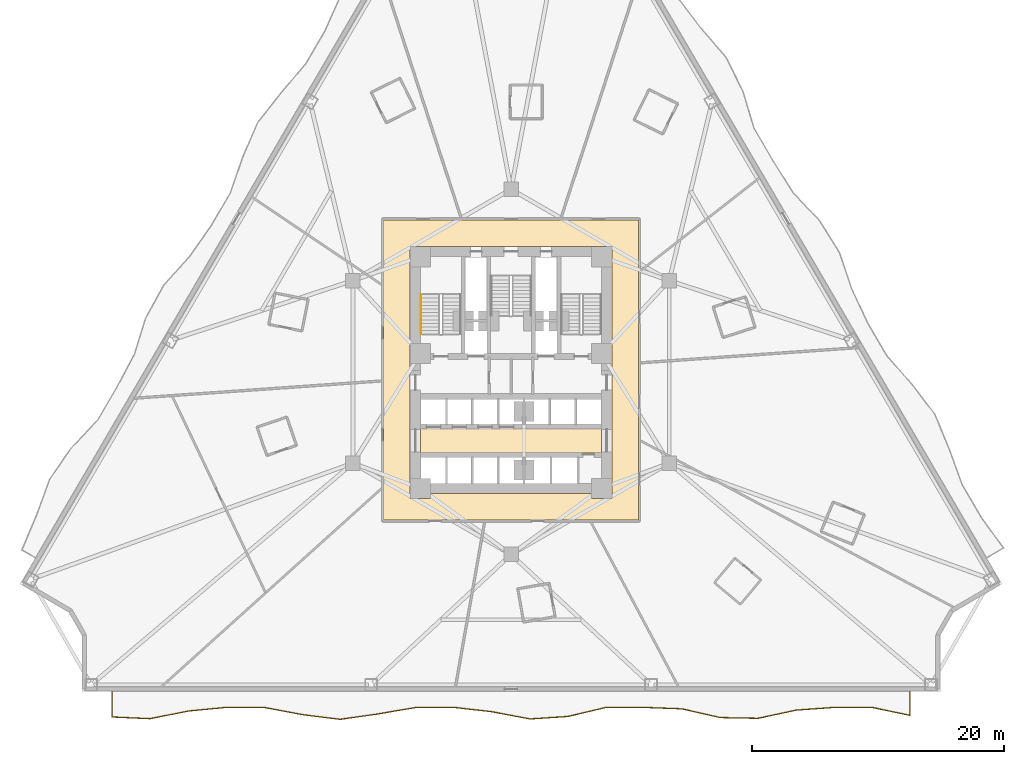
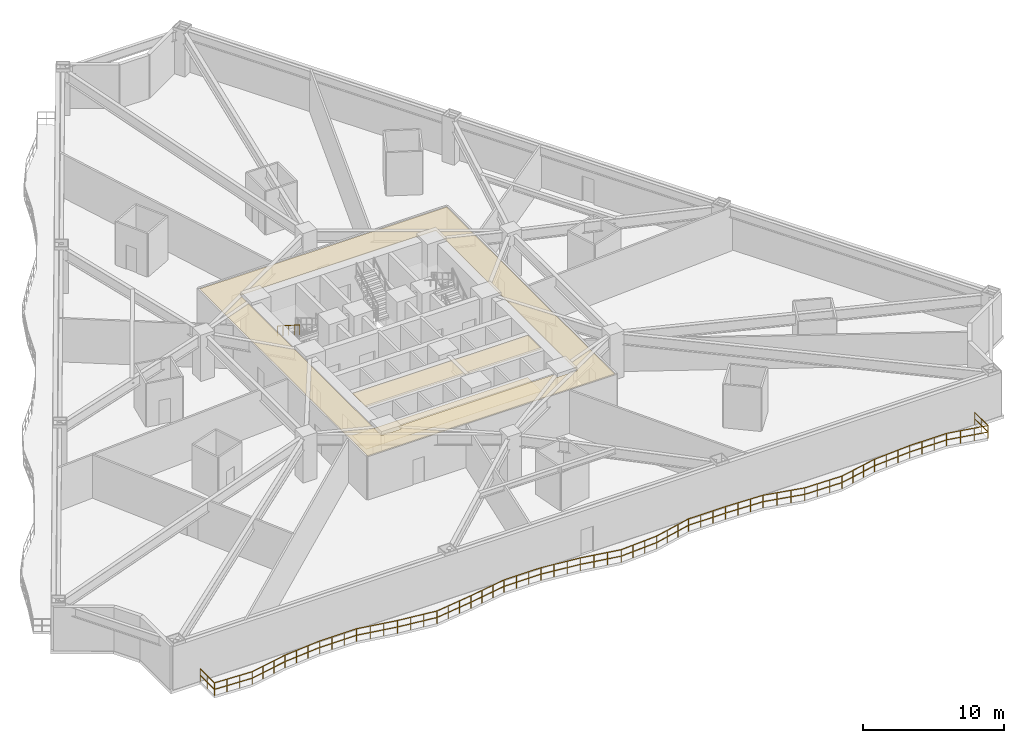
# One storey, part 8 of 12: 3 coverings, 2 railings.
"""IFC4 building model written with IfcOpenShell, lengths in metres."""

import ifcopenshell
import ifcopenshell.guid

model = None  # the IFC model being written
_history = None  # IfcOwnerHistory: only IFC2X3 demands one
_inside = {}  # id of a spatial element -> (the spatial element, [elements in it])
_under = {}  # id of a project, library or spatial element -> (it, [spatial elements below it])
_declared = {}  # id of a project -> (the project, [libraries it declares])
_typed = {}  # id of a type object -> (the type object, [elements of that type])
_made_of = {}  # id of a material, layer set ... -> (it, [elements and type objects made of it])


def new_model(schema):
    """Start an empty IFC model of exactly this schema.

    Asked for "IFC4X3", IfcOpenShell would pick the latest addendum, in which some entities
    have other attributes; the version numbers below select the first issue.
    IFC2X3 requires an IfcOwnerHistory on every rooted entity: one is made here for all.
    """
    global model, _history
    if schema == "IFC4X3":
        model = ifcopenshell.file(schema_version=(4, 3, 0, 0))
    else:
        model = ifcopenshell.file(schema=schema)
    _inside.clear()
    _under.clear()
    _declared.clear()
    _typed.clear()
    _made_of.clear()
    _history = None
    if model.schema == "IFC2X3":
        org = make("IfcOrganization", Name="unknown")
        user = make(
            "IfcPersonAndOrganization",
            ThePerson=make("IfcPerson", FamilyName="unknown"),
            TheOrganization=org,
        )
        app = make(
            "IfcApplication",
            ApplicationDeveloper=org,
            Version="unknown",
            ApplicationFullName="unknown",
            ApplicationIdentifier="unknown",
        )
        _history = make(
            "IfcOwnerHistory",
            OwningUser=user,
            OwningApplication=app,
            ChangeAction="ADDED",
            CreationDate=0,
        )
    return model


def make(cls, **values):
    """One entity of the class cls with the attributes given. An attribute that is None is left unset."""
    return model.create_entity(
        cls, **{name: value for name, value in values.items() if value is not None}
    )


def rooted(cls, **values):
    """An entity with a GlobalId (a new one), such as an element, a storey or a relation."""
    return make(cls, GlobalId=ifcopenshell.guid.new(), OwnerHistory=_history, **values)


def si_unit(unit_type, name, prefix=None):
    """IfcSIUnit, for example si_unit("LENGTHUNIT", "METRE", prefix="MILLI")."""
    return make("IfcSIUnit", UnitType=unit_type, Prefix=prefix, Name=name)


def assignment(units):
    """IfcUnitAssignment: the units of a project."""
    return None if units is None else make("IfcUnitAssignment", Units=units)


def point(xyz):
    """IfcCartesianPoint."""
    return None if xyz is None else make("IfcCartesianPoint", Coordinates=xyz)


def direction(xyz):
    """IfcDirection."""
    return None if xyz is None else make("IfcDirection", DirectionRatios=xyz)


def frame(location, z_axis=None, x_axis=None):
    """IfcAxis2Placement3D, a coordinate frame: its origin and axes. An axis left out is left unset."""
    return make(
        "IfcAxis2Placement3D",
        Location=point(location),
        Axis=direction(z_axis),
        RefDirection=direction(x_axis),
    )


def frame_2d(location, x_axis=None):
    """IfcAxis2Placement2D, a coordinate frame in the plane: its origin and x axis."""
    return make(
        "IfcAxis2Placement2D", Location=point(location), RefDirection=direction(x_axis)
    )


def origin():
    """The frame at (0, 0, 0) with its axes left unset."""
    return frame((0.0, 0.0, 0.0))


def origin_2d():
    """The frame at (0, 0) in the plane with its x axis left unset."""
    return frame_2d((0.0, 0.0))


def place(relative_to, where):
    """IfcLocalPlacement: puts the frame where relative to a parent placement (None: the world)."""
    return make(
        "IfcLocalPlacement", PlacementRelTo=relative_to, RelativePlacement=where
    )


def context(
    kind, dimensions, precision=None, world=None, true_north=None, identifier=None
):
    """IfcGeometricRepresentationContext, for example the 3D "Model" context."""
    return make(
        "IfcGeometricRepresentationContext",
        ContextIdentifier=identifier,
        ContextType=kind,
        CoordinateSpaceDimension=dimensions,
        Precision=precision,
        WorldCoordinateSystem=world,
        TrueNorth=true_north,
    )


def subcontext(parent, identifier, kind, view, scale=None):
    """IfcGeometricRepresentationSubContext, for example "Body" below "Model"."""
    return make(
        "IfcGeometricRepresentationSubContext",
        ContextIdentifier=identifier,
        ContextType=kind,
        ParentContext=parent,
        TargetScale=scale,
        TargetView=view,
    )


def project(units=None, contexts=None):
    """IfcProject with its units and contexts."""
    return rooted(
        "IfcProject",
        Name="project",
        RepresentationContexts=contexts,
        UnitsInContext=assignment(units),
    )


def spatial(cls, under=None, at=None, **own):
    """A site, building, storey or space (cls), placed at a placement, below another one or the project."""
    s = rooted(cls, ObjectPlacement=at, **own)
    if under is not None:
        _under.setdefault(under.id(), (under, []))[1].append(s)
    return s


def polyline(points):
    """IfcPolyline through the points."""
    return make("IfcPolyline", Points=[point(p) for p in points])


def profile(cls, at=None, kind="AREA", **sizes):
    """A parametric profile (cls). Its sizes go by their IFC names, for example OverallWidth=200.0."""
    return make(cls, ProfileType=kind, Position=at, **sizes)


def rectangle(**sizes):
    """IfcRectangleProfileDef."""
    return profile("IfcRectangleProfileDef", **sizes)


def outline(outer, holes=None, kind="AREA"):
    """IfcArbitraryClosedProfileDef: a profile drawn as a closed curve; with holes, ...WithVoids."""
    if holes is None:
        return make("IfcArbitraryClosedProfileDef", ProfileType=kind, OuterCurve=outer)
    return make(
        "IfcArbitraryProfileDefWithVoids",
        ProfileType=kind,
        OuterCurve=outer,
        InnerCurves=holes,
    )


def extrude(swept, where, along, depth):
    """IfcExtrudedAreaSolid: the profile swept, set in the frame where, extruded along a direction by depth."""
    return make(
        "IfcExtrudedAreaSolid",
        SweptArea=swept,
        Position=where,
        ExtrudedDirection=direction(along),
        Depth=depth,
    )


def shape(context_of_items, identifier, shape_type, items):
    """IfcShapeRepresentation: the items that make up one representation, for example the "Body"."""
    return make(
        "IfcShapeRepresentation",
        ContextOfItems=context_of_items,
        RepresentationIdentifier=identifier,
        RepresentationType=shape_type,
        Items=items,
    )


def material(Name=None, Category=None):
    """IfcMaterial."""
    return make("IfcMaterial", Name=Name, Category=Category)


def layer(
    of_material, thickness, ventilated=None, Name=None, Category=None, Priority=None
):
    """IfcMaterialLayer: one layer of a wall or slab, of a material (None: an air gap)."""
    return make(
        "IfcMaterialLayer",
        Material=of_material,
        LayerThickness=thickness,
        IsVentilated=ventilated,
        Name=Name,
        Category=Category,
        Priority=Priority,
    )


def layer_set(layers, Name=None):
    """IfcMaterialLayerSet."""
    return make("IfcMaterialLayerSet", MaterialLayers=layers, LayerSetName=Name)


def made_of(thing, what):
    """Note that an element or type object is made of a material, layer set ...; save() writes the relation."""
    if what is not None:
        _made_of.setdefault(what.id(), (what, []))[1].append(thing)
    return thing


def type_object(cls, material=None, **own):
    """A type object (cls), such as IfcWallType, which elements share."""
    return made_of(rooted(cls, **own), material)


def element(
    cls,
    number,
    at=None,
    inside=None,
    cuts=None,
    type_object=None,
    material=None,
    context=None,
    identifier="Body",
    shape_type=None,
    held_by="IfcProductDefinitionShape",
    body=None,
    shapes=None,
    **own,
):
    """One element of the class cls, such as IfcWall. Its Tag is "e" and its number.

    at: its placement. inside: the storey or other place that contains it. cuts: it is an
    opening in that element (IfcRelVoidsElement). A single representation is given by context,
    identifier, shape_type and body (its items); several are given by shapes. held_by: the class
    of the entity that holds the representations. save() writes the other relations.
    """
    e = rooted(cls, Tag="e%d" % number, ObjectPlacement=at, **own)
    if body is not None:
        shapes = [shape(context, identifier, shape_type, body)]
    if shapes is not None:
        e.Representation = make(held_by, Representations=shapes)
    if inside is not None:
        _inside.setdefault(inside.id(), (inside, []))[1].append(e)
    if cuts is not None:
        rooted(
            "IfcRelVoidsElement", RelatingBuildingElement=cuts, RelatedOpeningElement=e
        )
    if type_object is not None:
        _typed.setdefault(type_object.id(), (type_object, []))[1].append(e)
    return made_of(e, material)


def aggregate(whole, parts):
    """IfcRelAggregates: a whole, such as a stair, and the parts it consists of."""
    return rooted("IfcRelAggregates", RelatingObject=whole, RelatedObjects=parts)


def save(model, path):
    """Write the relations noted so far, then the file.

    IfcRelAggregates (storeys below a building ...), IfcRelContainedInSpatialStructure (elements
    in a storey), IfcRelDefinesByType, IfcRelAssociatesMaterial and IfcRelDeclares: one each for
    every whole, place, type object, material and project.
    """
    for whole, parts in _under.values():
        aggregate(whole, parts)
    for where, things in _inside.values():
        rooted(
            "IfcRelContainedInSpatialStructure",
            RelatedElements=things,
            RelatingStructure=where,
        )
    for kind, things in _typed.values():
        rooted("IfcRelDefinesByType", RelatedObjects=things, RelatingType=kind)
    for what, things in _made_of.values():
        rooted("IfcRelAssociatesMaterial", RelatedObjects=things, RelatingMaterial=what)
    for by, libraries in _declared.values():
        rooted("IfcRelDeclares", RelatingContext=by, RelatedDefinitions=libraries)
    model.write(path)


model = new_model("IFC4")

# Units and contexts
model_context = context("Model", 3, precision=1e-05, world=origin(), true_north=direction((0.0, 1.0)))
body_context = subcontext(model_context, "Body", "Model", "MODEL_VIEW")
ifc_project = project(units=[si_unit("LENGTHUNIT", "METRE"), si_unit("AREAUNIT", "SQUARE_METRE"), si_unit("VOLUMEUNIT", "CUBIC_METRE"), si_unit("PLANEANGLEUNIT", "RADIAN"), si_unit("MASSUNIT", "GRAM", prefix="KILO")], contexts=[model_context])

# Site, building, storey
site_placement = place(None, origin())
site = spatial("IfcSite", under=ifc_project, at=site_placement, CompositionType="ELEMENT")
building_placement = place(site_placement, origin())
building = spatial("IfcBuilding", under=site, at=building_placement, Name="Apsidion Concourse Tower", CompositionType="ELEMENT")
storey_placement = place(building_placement, frame((0.0, 0.0, 34.39990234375)))
storey = spatial("IfcBuildingStorey", under=building, at=storey_placement, Name="L06", CompositionType="ELEMENT", Elevation=34.39990234375)

# Coverings
ifc_material_1 = material(Name="Acoustic mineral fibre ceiling")
ifc_layer_1 = layer(ifc_material_1, 0.0400390625)
ifc_layer_set_1 = layer_set([ifc_layer_1], Name="Acoustic mineral fibre ceiling")
covering_type_1 = type_object("IfcCoveringType", Name="COV-CEIL-40", PredefinedType="CEILING", material=ifc_layer_set_1)
covering_1_placement = place(storey_placement, frame((0.0, 0.0, 3.650146484375)))
element("IfcCovering", 1, at=covering_1_placement, inside=storey, type_object=covering_type_1, Name="L06 Acoustic Ceiling Grid 1", PredefinedType="CEILING", context=body_context, shape_type="SweptSolid", body=[
    extrude(outline(polyline([(-7.179931640625, -6.449951171875), (-7.179931640625, -4.47998046875), (7.179931640625, -4.47998046875), (7.179931640625, -6.449951171875), (-7.179931640625, -6.449951171875)])), origin(), (0.0, 0.0, 1.0), 0.0400390625),
])
covering_2_placement = place(storey_placement, frame((0.0, 0.0, 3.650146484375)))
element("IfcCovering", 2, at=covering_2_placement, inside=storey, type_object=covering_type_1, Name="L06 Acoustic Ceiling Grid 2", PredefinedType="CEILING", context=body_context, shape_type="SweptSolid", body=[
    extrude(outline(polyline([(10.1201171875, 12.070068359375), (10.1201171875, -11.77001953125), (-10.1201171875, -11.77001953125), (-10.1201171875, 12.070068359375), (10.1201171875, 12.070068359375)]), holes=[polyline([(-8.02001953125, 9.949951171875), (-8.02001953125, 8.35009765625), (-8.02001953125, 2.25), (-8.02001953125, 0.64990234375), (-8.02001953125, -8.449951171875), (-8.02001953125, -9.669921875), (-8.02001953125, -10.050048828125), (-8.02001953125, -10.052001953125), (-8.01953125, -10.053955078125), (-8.01904296875, -10.055908203125), (-8.0185546875, -10.0576171875), (-8.017578125, -10.059326171875), (-8.0166015625, -10.06103515625), (-8.015380859375, -10.062744140625), (-8.01416015625, -10.064208984375), (-8.0126953125, -10.0654296875), (-8.010986328125, -10.066650390625), (-8.009521484375, -10.067626953125), (-8.0078125, -10.068603515625), (-8.005859375, -10.069091796875), (-8.00390625, -10.069580078125), (-8.001953125, -10.06982421875), (-8.0, -10.070068359375), (-6.39990234375, -10.070068359375), (-6.39794921875, -10.06982421875), (-6.39599609375, -10.069580078125), (-6.394287109375, -10.069091796875), (-6.392333984375, -10.068603515625), (-6.390625, -10.067626953125), (-6.388916015625, -10.066650390625), (-6.38720703125, -10.0654296875), (-6.385986328125, -10.064208984375), (-6.384521484375, -10.062744140625), (-6.38330078125, -10.06103515625), (-6.38232421875, -10.059326171875), (-6.381591796875, -10.0576171875), (-6.380859375, -10.055908203125), (-6.38037109375, -10.053955078125), (-6.380126953125, -10.052001953125), (-6.3798828125, -10.050048828125), (-6.3798828125, -9.669921875), (6.3798828125, -9.669921875), (6.3798828125, -10.050048828125), (6.380126953125, -10.052001953125), (6.38037109375, -10.053955078125), (6.380859375, -10.055908203125), (6.381591796875, -10.0576171875), (6.38232421875, -10.059326171875), (6.38330078125, -10.06103515625), (6.384521484375, -10.062744140625), (6.385986328125, -10.064208984375), (6.38720703125, -10.0654296875), (6.388916015625, -10.066650390625), (6.390625, -10.067626953125), (6.392333984375, -10.068603515625), (6.394287109375, -10.069091796875), (6.39599609375, -10.069580078125), (6.39794921875, -10.06982421875), (6.39990234375, -10.070068359375), (8.0, -10.070068359375), (8.001953125, -10.06982421875), (8.00390625, -10.069580078125), (8.005859375, -10.069091796875), (8.0078125, -10.068603515625), (8.009521484375, -10.067626953125), (8.010986328125, -10.066650390625), (8.0126953125, -10.0654296875), (8.01416015625, -10.064208984375), (8.015380859375, -10.062744140625), (8.0166015625, -10.06103515625), (8.017578125, -10.059326171875), (8.0185546875, -10.0576171875), (8.01904296875, -10.055908203125), (8.01953125, -10.053955078125), (8.02001953125, -10.052001953125), (8.02001953125, -10.050048828125), (8.02001953125, -9.669921875), (8.02001953125, -8.449951171875), (8.02001953125, 0.64990234375), (8.02001953125, 2.25), (8.02001953125, 8.35009765625), (8.02001953125, 9.949951171875), (8.02001953125, 9.969970703125), (8.0, 9.969970703125), (6.39990234375, 9.969970703125), (-6.39990234375, 9.969970703125), (-8.0, 9.969970703125), (-8.02001953125, 9.969970703125), (-8.02001953125, 9.949951171875)])]), origin(), (0.0, 0.0, 1.0), 0.0400390625),
])
ifc_material_2 = material(Name="Honed travertine floor finish", Category="masonry")
ifc_layer_2 = layer(ifc_material_2, 0.02001953125)
ifc_layer_set_2 = layer_set([ifc_layer_2], Name="Honed travertine floor finish")
covering_type_2 = type_object("IfcCoveringType", Name="COV-FLOR-20", PredefinedType="FLOORING", material=ifc_layer_set_2)
covering_3_placement = place(storey_placement, origin())
element("IfcCovering", 3, at=covering_3_placement, inside=storey, type_object=covering_type_2, Name="L06 Honed Travertine Floor Finish 1", PredefinedType="FLOORING", context=body_context, shape_type="SweptSolid", body=[
    extrude(outline(polyline([(-7.179931640625, -6.449951171875), (-7.179931640625, -4.47998046875), (7.179931640625, -4.47998046875), (7.179931640625, -6.449951171875), (-7.179931640625, -6.449951171875)])), origin(), (0.0, 0.0, 1.0), 0.02001953125),
])

# Railings
ifc_material_3 = material(Name="Brushed stainless steel 316", Category="steel")
railing_type_1 = type_object("IfcRailingType", Name="RL-BAL-1120", PredefinedType="BALUSTRADE", material=ifc_material_3)
railing_1_placement = place(storey_placement, frame((31.68798828125, -25.39990234375, 0.0)))
element("IfcRailing", 4, at=railing_1_placement, inside=storey, type_object=railing_type_1, Name="L06 Face 2 Rippling Balcony Balustrade", PredefinedType="BALUSTRADE", context=body_context, shape_type="SweptSolid", body=[
    extrude(rectangle(XDim=0.048095703125, YDim=0.048095703125, at=origin_2d()), frame((0.0, 0.0, 1.09619140625), z_axis=(0.0, -1.0, 0.0), x_axis=(1.0, 0.0, 0.0)), (0.0, 0.0, 1.0), 1.884521484375),
    extrude(rectangle(XDim=0.048095703125, YDim=0.048095703125, at=origin_2d()), frame((0.0, 0.0, 0.5361328125), z_axis=(0.0, -1.0, 0.0), x_axis=(1.0, 0.0, 0.0)), (0.0, 0.0, 1.0), 1.884521484375),
    extrude(rectangle(XDim=0.048095703125, YDim=0.048095703125, at=origin_2d()), frame((0.0, -1.884521484375, 1.09619140625), z_axis=(-0.978602671745, 0.205759108799, 0.0), x_axis=(-0.205759108799, -0.978602671745, 0.0)), (0.0, 0.0, 1.0), 3.083740234375),
    extrude(rectangle(XDim=0.048095703125, YDim=0.048095703125, at=origin_2d()), frame((0.0, -1.884521484375, 0.5361328125), z_axis=(-0.978602671745, 0.205759108799, 0.0), x_axis=(-0.205759108799, -0.978602671745, 0.0)), (0.0, 0.0, 1.0), 3.083740234375),
    extrude(rectangle(XDim=0.048095703125, YDim=0.048095703125, at=origin_2d()), frame((-3.017822265625, -1.25, 1.09619140625), z_axis=(-1.0, 0.0, 0.0), x_axis=(0.0, -1.0, 0.0)), (0.0, 0.0, 1.0), 3.017822265625),
    extrude(rectangle(XDim=0.048095703125, YDim=0.048095703125, at=origin_2d()), frame((-3.017822265625, -1.25, 0.5361328125), z_axis=(-1.0, 0.0, 0.0), x_axis=(0.0, -1.0, 0.0)), (0.0, 0.0, 1.0), 3.017822265625),
    extrude(rectangle(XDim=0.048095703125, YDim=0.048095703125, at=origin_2d()), frame((-6.03564453125, -1.25, 1.09619140625), z_axis=(-0.997400619886, -0.072055558091, 0.0), x_axis=(0.072055558091, -0.997400619886, 0.0)), (0.0, 0.0, 1.0), 3.025634765625),
    extrude(rectangle(XDim=0.048095703125, YDim=0.048095703125, at=origin_2d()), frame((-6.03564453125, -1.25, 0.5361328125), z_axis=(-0.997400619886, -0.072055558091, 0.0), x_axis=(0.072055558091, -0.997400619886, 0.0)), (0.0, 0.0, 1.0), 3.025634765625),
    extrude(rectangle(XDim=0.048095703125, YDim=0.048095703125, at=origin_2d()), frame((-9.053466796875, -1.468017578125, 1.09619140625), z_axis=(-0.977672601557, -0.210133967185, 0.0), x_axis=(0.210133967185, -0.977672601557, 0.0)), (0.0, 0.0, 1.0), 3.0869140625),
    extrude(rectangle(XDim=0.048095703125, YDim=0.048095703125, at=origin_2d()), frame((-9.053466796875, -1.468017578125, 0.5361328125), z_axis=(-0.977672601557, -0.210133967185, 0.0), x_axis=(0.210133967185, -0.977672601557, 0.0)), (0.0, 0.0, 1.0), 3.0869140625),
    extrude(rectangle(XDim=0.048095703125, YDim=0.048095703125, at=origin_2d()), frame((-12.071533203125, -2.11669921875, 1.09619140625), z_axis=(-0.999813161402, 0.019329828958, 0.0), x_axis=(-0.019329828958, -0.999813161402, 0.0)), (0.0, 0.0, 1.0), 3.0185546875),
    extrude(rectangle(XDim=0.048095703125, YDim=0.048095703125, at=origin_2d()), frame((-12.071533203125, -2.11669921875, 0.5361328125), z_axis=(-0.999813161402, 0.019329828958, 0.0), x_axis=(-0.019329828958, -0.999813161402, 0.0)), (0.0, 0.0, 1.0), 3.0185546875),
    extrude(rectangle(XDim=0.048095703125, YDim=0.048095703125, at=origin_2d()), frame((-15.089599609375, -2.058349609375, 1.09619140625), z_axis=(-0.974676132872, 0.223621188644, 0.0), x_axis=(-0.223621188644, -0.974676132872, 0.0)), (0.0, 0.0, 1.0), 3.09619140625),
    extrude(rectangle(XDim=0.048095703125, YDim=0.048095703125, at=origin_2d()), frame((-15.089599609375, -2.058349609375, 0.5361328125), z_axis=(-0.974676132872, 0.223621188644, 0.0), x_axis=(-0.223621188644, -0.974676132872, 0.0)), (0.0, 0.0, 1.0), 3.09619140625),
    extrude(rectangle(XDim=0.048095703125, YDim=0.048095703125, at=origin_2d()), frame((-18.107421875, -1.365966796875, 1.09619140625), z_axis=(-0.999262487547, 0.038398971085, 0.0), x_axis=(-0.038398971085, -0.999262487547, 0.0)), (0.0, 0.0, 1.0), 3.02001953125),
    extrude(rectangle(XDim=0.048095703125, YDim=0.048095703125, at=origin_2d()), frame((-18.107421875, -1.365966796875, 0.5361328125), z_axis=(-0.999262487547, 0.038398971085, 0.0), x_axis=(-0.038398971085, -0.999262487547, 0.0)), (0.0, 0.0, 1.0), 3.02001953125),
    extrude(rectangle(XDim=0.048095703125, YDim=0.048095703125, at=origin_2d()), frame((-21.125244140625, -1.25, 1.09619140625), z_axis=(-1.0, 0.0, 0.0), x_axis=(0.0, -1.0, 0.0)), (0.0, 0.0, 1.0), 3.017822265625),
    extrude(rectangle(XDim=0.048095703125, YDim=0.048095703125, at=origin_2d()), frame((-21.125244140625, -1.25, 0.5361328125), z_axis=(-1.0, 0.0, 0.0), x_axis=(0.0, -1.0, 0.0)), (0.0, 0.0, 1.0), 3.017822265625),
    extrude(rectangle(XDim=0.048095703125, YDim=0.048095703125, at=origin_2d()), frame((-24.14306640625, -1.25, 1.09619140625), z_axis=(-0.972758913206, -0.231819103568, 0.0), x_axis=(0.231819103568, -0.972758913206, 0.0)), (0.0, 0.0, 1.0), 3.1025390625),
    extrude(rectangle(XDim=0.048095703125, YDim=0.048095703125, at=origin_2d()), frame((-24.14306640625, -1.25, 0.5361328125), z_axis=(-0.972758913206, -0.231819103568, 0.0), x_axis=(0.231819103568, -0.972758913206, 0.0)), (0.0, 0.0, 1.0), 3.1025390625),
    extrude(rectangle(XDim=0.048095703125, YDim=0.048095703125, at=origin_2d()), frame((-27.1611328125, -1.96923828125, 1.09619140625), z_axis=(-0.997833469267, -0.065790330673, 0.0), x_axis=(0.065790330673, -0.997833469267, 0.0)), (0.0, 0.0, 1.0), 3.0244140625),
    extrude(rectangle(XDim=0.048095703125, YDim=0.048095703125, at=origin_2d()), frame((-27.1611328125, -1.96923828125, 0.5361328125), z_axis=(-0.997833469267, -0.065790330673, 0.0), x_axis=(0.065790330673, -0.997833469267, 0.0)), (0.0, 0.0, 1.0), 3.0244140625),
    extrude(rectangle(XDim=0.048095703125, YDim=0.048095703125, at=origin_2d()), frame((-30.178955078125, -2.168212890625, 1.09619140625), z_axis=(-0.982479499638, 0.186370686511, 0.0), x_axis=(-0.186370686511, -0.982479499638, 0.0)), (0.0, 0.0, 1.0), 3.07177734375),
    extrude(rectangle(XDim=0.048095703125, YDim=0.048095703125, at=origin_2d()), frame((-30.178955078125, -2.168212890625, 0.5361328125), z_axis=(-0.982479499638, 0.186370686511, 0.0), x_axis=(-0.186370686511, -0.982479499638, 0.0)), (0.0, 0.0, 1.0), 3.07177734375),
    extrude(rectangle(XDim=0.048095703125, YDim=0.048095703125, at=origin_2d()), frame((-33.197021484375, -1.595703125, 1.09619140625), z_axis=(-0.993502586676, 0.113809535048, 0.0), x_axis=(-0.113809535048, -0.993502586676, 0.0)), (0.0, 0.0, 1.0), 3.03759765625),
    extrude(rectangle(XDim=0.048095703125, YDim=0.048095703125, at=origin_2d()), frame((-33.197021484375, -1.595703125, 0.5361328125), z_axis=(-0.993502586676, 0.113809535048, 0.0), x_axis=(-0.113809535048, -0.993502586676, 0.0)), (0.0, 0.0, 1.0), 3.03759765625),
    extrude(rectangle(XDim=0.048095703125, YDim=0.048095703125, at=origin_2d()), frame((-36.21484375, -1.25, 1.09619140625), z_axis=(-1.0, 0.0, 0.0), x_axis=(0.0, -1.0, 0.0)), (0.0, 0.0, 1.0), 3.01806640625),
    extrude(rectangle(XDim=0.048095703125, YDim=0.048095703125, at=origin_2d()), frame((-36.21484375, -1.25, 0.5361328125), z_axis=(-1.0, 0.0, 0.0), x_axis=(0.0, -1.0, 0.0)), (0.0, 0.0, 1.0), 3.01806640625),
    extrude(rectangle(XDim=0.048095703125, YDim=0.048095703125, at=origin_2d()), frame((-39.23291015625, -1.25, 1.09619140625), z_axis=(-0.985529542928, -0.16950374632, 0.0), x_axis=(0.16950374632, -0.985529542928, 0.0)), (0.0, 0.0, 1.0), 3.06201171875),
    extrude(rectangle(XDim=0.048095703125, YDim=0.048095703125, at=origin_2d()), frame((-39.23291015625, -1.25, 0.5361328125), z_axis=(-0.985529542928, -0.16950374632, 0.0), x_axis=(0.16950374632, -0.985529542928, 0.0)), (0.0, 0.0, 1.0), 3.06201171875),
    extrude(rectangle(XDim=0.048095703125, YDim=0.048095703125, at=origin_2d()), frame((-42.250732421875, -1.76904296875, 1.09619140625), z_axis=(-0.989981503906, -0.141197103097, 0.0), x_axis=(0.141197103097, -0.989981503906, 0.0)), (0.0, 0.0, 1.0), 3.04833984375),
    extrude(rectangle(XDim=0.048095703125, YDim=0.048095703125, at=origin_2d()), frame((-42.250732421875, -1.76904296875, 0.5361328125), z_axis=(-0.989981503906, -0.141197103097, 0.0), x_axis=(0.141197103097, -0.989981503906, 0.0)), (0.0, 0.0, 1.0), 3.04833984375),
    extrude(rectangle(XDim=0.048095703125, YDim=0.048095703125, at=origin_2d()), frame((-45.2685546875, -2.199462890625, 1.09619140625), z_axis=(-0.992180014558, 0.124815138147, 0.0), x_axis=(-0.124815138147, -0.992180014558, 0.0)), (0.0, 0.0, 1.0), 3.04150390625),
    extrude(rectangle(XDim=0.048095703125, YDim=0.048095703125, at=origin_2d()), frame((-45.2685546875, -2.199462890625, 0.5361328125), z_axis=(-0.992180014558, 0.124815138147, 0.0), x_axis=(-0.124815138147, -0.992180014558, 0.0)), (0.0, 0.0, 1.0), 3.04150390625),
    extrude(rectangle(XDim=0.048095703125, YDim=0.048095703125, at=origin_2d()), frame((-48.286376953125, -1.81982421875, 1.09619140625), z_axis=(-0.982639239997, 0.185526612696, 0.0), x_axis=(-0.185526612696, -0.982639239997, 0.0)), (0.0, 0.0, 1.0), 3.0712890625),
    extrude(rectangle(XDim=0.048095703125, YDim=0.048095703125, at=origin_2d()), frame((-48.286376953125, -1.81982421875, 0.5361328125), z_axis=(-0.982639239997, 0.185526612696, 0.0), x_axis=(-0.185526612696, -0.982639239997, 0.0)), (0.0, 0.0, 1.0), 3.0712890625),
    extrude(rectangle(XDim=0.048095703125, YDim=0.048095703125, at=origin_2d()), frame((-51.304443359375, -1.25, 1.09619140625), z_axis=(-1.0, 0.0, 0.0), x_axis=(0.0, -1.0, 0.0)), (0.0, 0.0, 1.0), 3.01806640625),
    extrude(rectangle(XDim=0.048095703125, YDim=0.048095703125, at=origin_2d()), frame((-51.304443359375, -1.25, 0.5361328125), z_axis=(-1.0, 0.0, 0.0), x_axis=(0.0, -1.0, 0.0)), (0.0, 0.0, 1.0), 3.01806640625),
    extrude(rectangle(XDim=0.048095703125, YDim=0.048095703125, at=origin_2d()), frame((-54.322509765625, -1.25, 1.09619140625), z_axis=(-0.995382581967, -0.095987059114, 0.0), x_axis=(0.095987059114, -0.995382581967, 0.0)), (0.0, 0.0, 1.0), 3.03173828125),
    extrude(rectangle(XDim=0.048095703125, YDim=0.048095703125, at=origin_2d()), frame((-54.322509765625, -1.25, 0.5361328125), z_axis=(-0.995382581967, -0.095987059114, 0.0), x_axis=(0.095987059114, -0.995382581967, 0.0)), (0.0, 0.0, 1.0), 3.03173828125),
    extrude(rectangle(XDim=0.048095703125, YDim=0.048095703125, at=origin_2d()), frame((-57.34033203125, -1.541015625, 1.09619140625), z_axis=(-0.98030826381, -0.197473309351, 0.0), x_axis=(0.197473309351, -0.98030826381, 0.0)), (0.0, 0.0, 1.0), 3.078369140625),
    extrude(rectangle(XDim=0.048095703125, YDim=0.048095703125, at=origin_2d()), frame((-57.34033203125, -1.541015625, 0.5361328125), z_axis=(-0.98030826381, -0.197473309351, 0.0), x_axis=(0.197473309351, -0.98030826381, 0.0)), (0.0, 0.0, 1.0), 3.078369140625),
    extrude(rectangle(XDim=0.048095703125, YDim=0.048095703125, at=origin_2d()), frame((-60.358154296875, -2.14892578125, 1.09619140625), z_axis=(-0.998938498608, 0.046063825274, 0.0), x_axis=(-0.046063825274, -0.998938498608, 0.0)), (0.0, 0.0, 1.0), 3.02099609375),
    extrude(rectangle(XDim=0.048095703125, YDim=0.048095703125, at=origin_2d()), frame((-60.358154296875, -2.14892578125, 0.5361328125), z_axis=(-0.998938498608, 0.046063825274, 0.0), x_axis=(-0.046063825274, -0.998938498608, 0.0)), (0.0, 0.0, 1.0), 3.02099609375),
    extrude(rectangle(XDim=0.048095703125, YDim=0.048095703125, at=origin_2d()), frame((-63.3759765625, -2.009765625, 1.09619140625), z_axis=(0.0, 1.0, 0.0), x_axis=(-1.0, 0.0, 0.0)), (0.0, 0.0, 1.0), 2.009765625),
    extrude(rectangle(XDim=0.048095703125, YDim=0.048095703125, at=origin_2d()), frame((-63.3759765625, -2.009765625, 0.5361328125), z_axis=(0.0, 1.0, 0.0), x_axis=(-1.0, 0.0, 0.0)), (0.0, 0.0, 1.0), 2.009765625),
    extrude(rectangle(XDim=0.0419921875, YDim=0.0419921875, at=origin_2d()), origin(), (0.0, 0.0, 1.0), 1.072021484375),
    extrude(rectangle(XDim=0.0419921875, YDim=0.0419921875, at=origin_2d()), frame((0.0, -0.9423828125, 0.0)), (0.0, 0.0, 1.0), 1.072021484375),
    extrude(rectangle(XDim=0.0419921875, YDim=0.0419921875, at=origin_2d()), frame((0.0, -1.884521484375, 0.0)), (0.0, 0.0, 1.0), 1.072021484375),
    extrude(rectangle(XDim=0.0419921875, YDim=0.0419921875, at=origin_2d()), frame((-1.005859375, -1.673095703125, 0.0)), (0.0, 0.0, 1.0), 1.072021484375),
    extrude(rectangle(XDim=0.0419921875, YDim=0.0419921875, at=origin_2d()), frame((-2.011962890625, -1.46142578125, 0.0)), (0.0, 0.0, 1.0), 1.072021484375),
    extrude(rectangle(XDim=0.0419921875, YDim=0.0419921875, at=origin_2d()), frame((-3.017822265625, -1.25, 0.0)), (0.0, 0.0, 1.0), 1.072021484375),
    extrude(rectangle(XDim=0.0419921875, YDim=0.0419921875, at=origin_2d()), frame((-4.023681640625, -1.25, 0.0)), (0.0, 0.0, 1.0), 1.072021484375),
    extrude(rectangle(XDim=0.0419921875, YDim=0.0419921875, at=origin_2d()), frame((-5.02978515625, -1.25, 0.0)), (0.0, 0.0, 1.0), 1.072021484375),
    extrude(rectangle(XDim=0.0419921875, YDim=0.0419921875, at=origin_2d()), frame((-6.03564453125, -1.25, 0.0)), (0.0, 0.0, 1.0), 1.072021484375),
    extrude(rectangle(XDim=0.0419921875, YDim=0.0419921875, at=origin_2d()), frame((-7.04150390625, -1.32275390625, 0.0)), (0.0, 0.0, 1.0), 1.072021484375),
    extrude(rectangle(XDim=0.0419921875, YDim=0.0419921875, at=origin_2d()), frame((-8.047607421875, -1.395263671875, 0.0)), (0.0, 0.0, 1.0), 1.072021484375),
    extrude(rectangle(XDim=0.0419921875, YDim=0.0419921875, at=origin_2d()), frame((-9.053466796875, -1.468017578125, 0.0)), (0.0, 0.0, 1.0), 1.072021484375),
    extrude(rectangle(XDim=0.0419921875, YDim=0.0419921875, at=origin_2d()), frame((-10.0595703125, -1.684326171875, 0.0)), (0.0, 0.0, 1.0), 1.072021484375),
    extrude(rectangle(XDim=0.0419921875, YDim=0.0419921875, at=origin_2d()), frame((-11.0654296875, -1.900390625, 0.0)), (0.0, 0.0, 1.0), 1.072021484375),
    extrude(rectangle(XDim=0.0419921875, YDim=0.0419921875, at=origin_2d()), frame((-12.071533203125, -2.11669921875, 0.0)), (0.0, 0.0, 1.0), 1.072021484375),
    extrude(rectangle(XDim=0.0419921875, YDim=0.0419921875, at=origin_2d()), frame((-13.07763671875, -2.09716796875, 0.0)), (0.0, 0.0, 1.0), 1.072021484375),
    extrude(rectangle(XDim=0.0419921875, YDim=0.0419921875, at=origin_2d()), frame((-14.08349609375, -2.077880859375, 0.0)), (0.0, 0.0, 1.0), 1.072021484375),
    extrude(rectangle(XDim=0.0419921875, YDim=0.0419921875, at=origin_2d()), frame((-15.089599609375, -2.058349609375, 0.0)), (0.0, 0.0, 1.0), 1.072021484375),
    extrude(rectangle(XDim=0.0419921875, YDim=0.0419921875, at=origin_2d()), frame((-16.095458984375, -1.82763671875, 0.0)), (0.0, 0.0, 1.0), 1.072021484375),
    extrude(rectangle(XDim=0.0419921875, YDim=0.0419921875, at=origin_2d()), frame((-17.1015625, -1.5966796875, 0.0)), (0.0, 0.0, 1.0), 1.072021484375),
    extrude(rectangle(XDim=0.0419921875, YDim=0.0419921875, at=origin_2d()), frame((-18.107421875, -1.365966796875, 0.0)), (0.0, 0.0, 1.0), 1.072021484375),
    extrude(rectangle(XDim=0.0419921875, YDim=0.0419921875, at=origin_2d()), frame((-19.11328125, -1.327392578125, 0.0)), (0.0, 0.0, 1.0), 1.072021484375),
    extrude(rectangle(XDim=0.0419921875, YDim=0.0419921875, at=origin_2d()), frame((-20.119384765625, -1.28857421875, 0.0)), (0.0, 0.0, 1.0), 1.072021484375),
    extrude(rectangle(XDim=0.0419921875, YDim=0.0419921875, at=origin_2d()), frame((-21.125244140625, -1.25, 0.0)), (0.0, 0.0, 1.0), 1.072021484375),
    extrude(rectangle(XDim=0.0419921875, YDim=0.0419921875, at=origin_2d()), frame((-22.131103515625, -1.25, 0.0)), (0.0, 0.0, 1.0), 1.072021484375),
    extrude(rectangle(XDim=0.0419921875, YDim=0.0419921875, at=origin_2d()), frame((-23.13720703125, -1.25, 0.0)), (0.0, 0.0, 1.0), 1.072021484375),
    extrude(rectangle(XDim=0.0419921875, YDim=0.0419921875, at=origin_2d()), frame((-24.14306640625, -1.25, 0.0)), (0.0, 0.0, 1.0), 1.072021484375),
    extrude(rectangle(XDim=0.0419921875, YDim=0.0419921875, at=origin_2d()), frame((-25.149169921875, -1.48974609375, 0.0)), (0.0, 0.0, 1.0), 1.072021484375),
    extrude(rectangle(XDim=0.0419921875, YDim=0.0419921875, at=origin_2d()), frame((-26.155029296875, -1.7294921875, 0.0)), (0.0, 0.0, 1.0), 1.072021484375),
    extrude(rectangle(XDim=0.0419921875, YDim=0.0419921875, at=origin_2d()), frame((-27.1611328125, -1.96923828125, 0.0)), (0.0, 0.0, 1.0), 1.072021484375),
    extrude(rectangle(XDim=0.0419921875, YDim=0.0419921875, at=origin_2d()), frame((-28.1669921875, -2.03564453125, 0.0)), (0.0, 0.0, 1.0), 1.072021484375),
    extrude(rectangle(XDim=0.0419921875, YDim=0.0419921875, at=origin_2d()), frame((-29.173095703125, -2.101806640625, 0.0)), (0.0, 0.0, 1.0), 1.072021484375),
    extrude(rectangle(XDim=0.0419921875, YDim=0.0419921875, at=origin_2d()), frame((-30.178955078125, -2.168212890625, 0.0)), (0.0, 0.0, 1.0), 1.072021484375),
    extrude(rectangle(XDim=0.0419921875, YDim=0.0419921875, at=origin_2d()), frame((-31.18505859375, -1.977294921875, 0.0)), (0.0, 0.0, 1.0), 1.072021484375),
    extrude(rectangle(XDim=0.0419921875, YDim=0.0419921875, at=origin_2d()), frame((-32.19091796875, -1.78662109375, 0.0)), (0.0, 0.0, 1.0), 1.072021484375),
    extrude(rectangle(XDim=0.0419921875, YDim=0.0419921875, at=origin_2d()), frame((-33.197021484375, -1.595703125, 0.0)), (0.0, 0.0, 1.0), 1.072021484375),
    extrude(rectangle(XDim=0.0419921875, YDim=0.0419921875, at=origin_2d()), frame((-34.202880859375, -1.48046875, 0.0)), (0.0, 0.0, 1.0), 1.072021484375),
    extrude(rectangle(XDim=0.0419921875, YDim=0.0419921875, at=origin_2d()), frame((-35.208984375, -1.365234375, 0.0)), (0.0, 0.0, 1.0), 1.072021484375),
    extrude(rectangle(XDim=0.0419921875, YDim=0.0419921875, at=origin_2d()), frame((-36.21484375, -1.25, 0.0)), (0.0, 0.0, 1.0), 1.072021484375),
    extrude(rectangle(XDim=0.0419921875, YDim=0.0419921875, at=origin_2d()), frame((-37.220947265625, -1.25, 0.0)), (0.0, 0.0, 1.0), 1.072021484375),
    extrude(rectangle(XDim=0.0419921875, YDim=0.0419921875, at=origin_2d()), frame((-38.226806640625, -1.25, 0.0)), (0.0, 0.0, 1.0), 1.072021484375),
    extrude(rectangle(XDim=0.0419921875, YDim=0.0419921875, at=origin_2d()), frame((-39.23291015625, -1.25, 0.0)), (0.0, 0.0, 1.0), 1.072021484375),
    extrude(rectangle(XDim=0.0419921875, YDim=0.0419921875, at=origin_2d()), frame((-40.23876953125, -1.423095703125, 0.0)), (0.0, 0.0, 1.0), 1.072021484375),
    extrude(rectangle(XDim=0.0419921875, YDim=0.0419921875, at=origin_2d()), frame((-41.244873046875, -1.595947265625, 0.0)), (0.0, 0.0, 1.0), 1.072021484375),
    extrude(rectangle(XDim=0.0419921875, YDim=0.0419921875, at=origin_2d()), frame((-42.250732421875, -1.76904296875, 0.0)), (0.0, 0.0, 1.0), 1.072021484375),
    extrude(rectangle(XDim=0.0419921875, YDim=0.0419921875, at=origin_2d()), frame((-43.256591796875, -1.91259765625, 0.0)), (0.0, 0.0, 1.0), 1.072021484375),
    extrude(rectangle(XDim=0.0419921875, YDim=0.0419921875, at=origin_2d()), frame((-44.2626953125, -2.055908203125, 0.0)), (0.0, 0.0, 1.0), 1.072021484375),
    extrude(rectangle(XDim=0.0419921875, YDim=0.0419921875, at=origin_2d()), frame((-45.2685546875, -2.199462890625, 0.0)), (0.0, 0.0, 1.0), 1.072021484375),
    extrude(rectangle(XDim=0.0419921875, YDim=0.0419921875, at=origin_2d()), frame((-46.2744140625, -2.072998046875, 0.0)), (0.0, 0.0, 1.0), 1.072021484375),
    extrude(rectangle(XDim=0.0419921875, YDim=0.0419921875, at=origin_2d()), frame((-47.280517578125, -1.9462890625, 0.0)), (0.0, 0.0, 1.0), 1.072021484375),
    extrude(rectangle(XDim=0.0419921875, YDim=0.0419921875, at=origin_2d()), frame((-48.286376953125, -1.81982421875, 0.0)), (0.0, 0.0, 1.0), 1.072021484375),
    extrude(rectangle(XDim=0.0419921875, YDim=0.0419921875, at=origin_2d()), frame((-49.29248046875, -1.6298828125, 0.0)), (0.0, 0.0, 1.0), 1.072021484375),
    extrude(rectangle(XDim=0.0419921875, YDim=0.0419921875, at=origin_2d()), frame((-50.29833984375, -1.43994140625, 0.0)), (0.0, 0.0, 1.0), 1.072021484375),
    extrude(rectangle(XDim=0.0419921875, YDim=0.0419921875, at=origin_2d()), frame((-51.304443359375, -1.25, 0.0)), (0.0, 0.0, 1.0), 1.072021484375),
    extrude(rectangle(XDim=0.0419921875, YDim=0.0419921875, at=origin_2d()), frame((-52.310546875, -1.25, 0.0)), (0.0, 0.0, 1.0), 1.072021484375),
    extrude(rectangle(XDim=0.0419921875, YDim=0.0419921875, at=origin_2d()), frame((-53.31640625, -1.25, 0.0)), (0.0, 0.0, 1.0), 1.072021484375),
    extrude(rectangle(XDim=0.0419921875, YDim=0.0419921875, at=origin_2d()), frame((-54.322509765625, -1.25, 0.0)), (0.0, 0.0, 1.0), 1.072021484375),
    extrude(rectangle(XDim=0.0419921875, YDim=0.0419921875, at=origin_2d()), frame((-55.328369140625, -1.346923828125, 0.0)), (0.0, 0.0, 1.0), 1.072021484375),
    extrude(rectangle(XDim=0.0419921875, YDim=0.0419921875, at=origin_2d()), frame((-56.33447265625, -1.444091796875, 0.0)), (0.0, 0.0, 1.0), 1.072021484375),
    extrude(rectangle(XDim=0.0419921875, YDim=0.0419921875, at=origin_2d()), frame((-57.34033203125, -1.541015625, 0.0)), (0.0, 0.0, 1.0), 1.072021484375),
    extrude(rectangle(XDim=0.0419921875, YDim=0.0419921875, at=origin_2d()), frame((-58.34619140625, -1.74365234375, 0.0)), (0.0, 0.0, 1.0), 1.072021484375),
    extrude(rectangle(XDim=0.0419921875, YDim=0.0419921875, at=origin_2d()), frame((-59.352294921875, -1.9462890625, 0.0)), (0.0, 0.0, 1.0), 1.072021484375),
    extrude(rectangle(XDim=0.0419921875, YDim=0.0419921875, at=origin_2d()), frame((-60.358154296875, -2.14892578125, 0.0)), (0.0, 0.0, 1.0), 1.072021484375),
    extrude(rectangle(XDim=0.0419921875, YDim=0.0419921875, at=origin_2d()), frame((-61.364013671875, -2.1025390625, 0.0)), (0.0, 0.0, 1.0), 1.072021484375),
    extrude(rectangle(XDim=0.0419921875, YDim=0.0419921875, at=origin_2d()), frame((-62.3701171875, -2.05615234375, 0.0)), (0.0, 0.0, 1.0), 1.072021484375),
    extrude(rectangle(XDim=0.0419921875, YDim=0.0419921875, at=origin_2d()), frame((-63.3759765625, -2.009765625, 0.0)), (0.0, 0.0, 1.0), 1.072021484375),
    extrude(rectangle(XDim=0.0419921875, YDim=0.0419921875, at=origin_2d()), frame((-63.3759765625, -1.0048828125, 0.0)), (0.0, 0.0, 1.0), 1.072021484375),
    extrude(rectangle(XDim=0.0419921875, YDim=0.0419921875, at=origin_2d()), frame((-63.3759765625, 0.0, 0.0)), (0.0, 0.0, 1.0), 1.072021484375),
])
railing_type_2 = type_object("IfcRailingType", Name="RL-HAND-900", PredefinedType="HANDRAIL", material=ifc_material_3)
railing_2_placement = place(storey_placement, frame((-7.14990234375, 6.135009765625, 2.166748046875)))
element("IfcRailing", 5, at=railing_2_placement, inside=storey, type_object=railing_type_2, Name="L06 ST1 stair handrail 2", PredefinedType="HANDRAIL", context=body_context, shape_type="SweptSolid", body=[
    extrude(rectangle(XDim=0.048095703125, YDim=0.048095703125, at=origin_2d()), frame((0.0, 0.0, 0.8759765625), z_axis=(0.0, -0.843052688722, 0.537830980921), x_axis=(1.0, 0.0, 0.0)), (0.0, 0.0, 1.0), 3.71875),
    extrude(rectangle(XDim=0.0419921875, YDim=0.0419921875, at=origin_2d()), origin(), (0.0, 0.0, 1.0), 0.851806640625),
    extrude(rectangle(XDim=0.0419921875, YDim=0.0419921875, at=origin_2d()), frame((0.0, -0.78369140625, 0.5)), (0.0, 0.0, 1.0), 0.851806640625),
    extrude(rectangle(XDim=0.0419921875, YDim=0.0419921875, at=origin_2d()), frame((0.0, -1.5673828125, 1.0)), (0.0, 0.0, 1.0), 0.851806640625),
    extrude(rectangle(XDim=0.0419921875, YDim=0.0419921875, at=origin_2d()), frame((0.0, -2.351318359375, 1.5)), (0.0, 0.0, 1.0), 0.851806640625),
    extrude(rectangle(XDim=0.0419921875, YDim=0.0419921875, at=origin_2d()), frame((0.0, -3.135009765625, 2.0)), (0.0, 0.0, 1.0), 0.851806640625),
])

save(model, "model.ifc")
